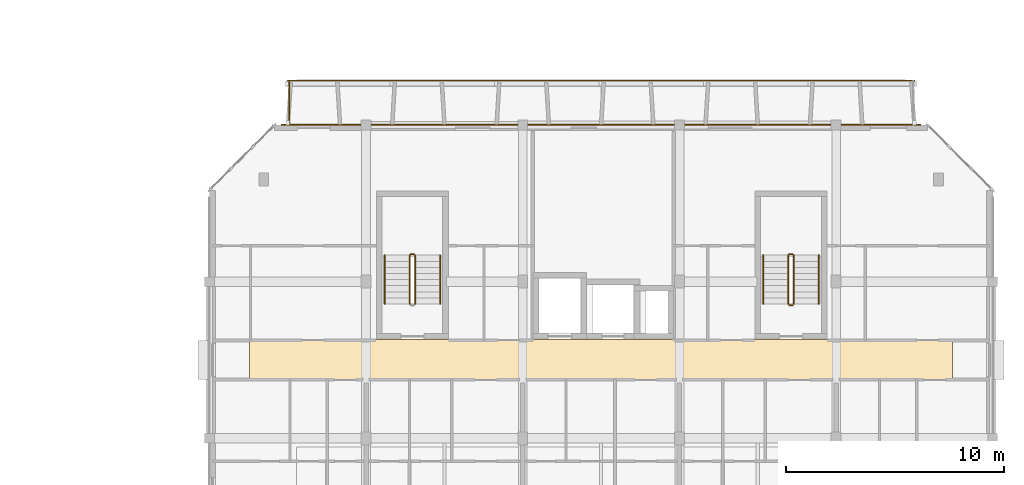
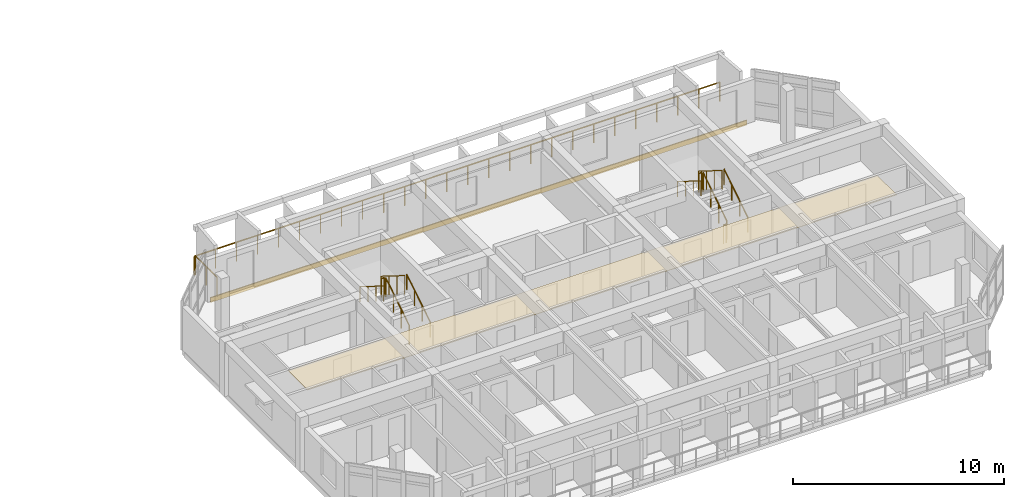
# One storey, part 28 of 31: 13 railings, 2 coverings.
"""IFC4 building model written with IfcOpenShell, lengths in metres."""

from ifc_helpers import new_model, si_unit, direction, frame, origin, origin_2d, place, context, subcontext, project, spatial, polyline, rectangle, circle, outline, extrude, material, layer, layer_set, type_object, element, save


model = new_model("IFC4")

# Units and contexts
model_context = context("Model", 3, precision=1e-05, world=origin(), true_north=direction((0.0, 1.0)))
body_context = subcontext(model_context, "Body", "Model", "MODEL_VIEW")
ifc_project = project(units=[si_unit("LENGTHUNIT", "METRE"), si_unit("AREAUNIT", "SQUARE_METRE"), si_unit("VOLUMEUNIT", "CUBIC_METRE"), si_unit("PLANEANGLEUNIT", "RADIAN"), si_unit("MASSUNIT", "GRAM", prefix="KILO")], contexts=[model_context])

# Site, building, storey
site_placement = place(None, origin())
site = spatial("IfcSite", under=ifc_project, at=site_placement, CompositionType="ELEMENT")
building_placement = place(site_placement, origin())
building = spatial("IfcBuilding", under=site, at=building_placement, Name="Ochrevale Crest", CompositionType="ELEMENT")
storey_placement = place(building_placement, frame((0.0, 0.0, 37.050048828125)))
storey = spatial("IfcBuildingStorey", under=building, at=storey_placement, Name="L11", CompositionType="ELEMENT", Elevation=37.050048828125)

# Coverings
ifc_material_1 = material(Name="Gypsum plasterboard", Category="gypsum")
ifc_layer_1 = layer(ifc_material_1, 0.02490234375)
ifc_layer_set_1 = layer_set([ifc_layer_1], Name="Gypsum plasterboard")
covering_type_1 = type_object("IfcCoveringType", Name="COV-CEIL-GYP", PredefinedType="CEILING", material=ifc_layer_set_1)
covering_1_placement = place(storey_placement, frame((0.0, 0.0, 2.280029296875)))
element("IfcCovering", 1, at=covering_1_placement, inside=storey, type_object=covering_type_1, Name="Block C L11 acoustic corridor ceiling", PredefinedType="CEILING", context=body_context, shape_type="SweptSolid", body=[
    extrude(outline(polyline([(131.449951171875, 24.260009765625), (163.75, 24.260009765625), (163.75, 26.139892578125), (131.449951171875, 26.139892578125), (131.449951171875, 24.260009765625)])), origin(), (0.0, 0.0, 1.0), 0.02490234375),
])
ifc_material_2 = material(Name="Glazed terracotta rainscreen tile", Category="masonry")
ifc_layer_2 = layer(ifc_material_2, 0.048095703125)
ifc_layer_set_2 = layer_set([ifc_layer_2], Name="Glazed terracotta rainscreen tile")
covering_type_2 = type_object("IfcCoveringType", Name="COV-CLAD-TER", PredefinedType="CLADDING", material=ifc_layer_set_2)
covering_2_placement = place(storey_placement, frame((147.60009765625, 36.012451171875, -0.26025390625), z_axis=(0.0, 0.0, 1.0), x_axis=(-1.0, 0.0, 0.0)))
element("IfcCovering", 2, at=covering_2_placement, inside=storey, type_object=covering_type_2, Name="Block C L11 terracotta slab-edge spandrel cladding", PredefinedType="CLADDING", context=body_context, shape_type="SweptSolid", body=[
    extrude(rectangle(XDim=29.39990234375, YDim=0.06005859375, at=origin_2d()), origin(), (0.0, 0.0, 1.0), 0.280029296875),
])

# Railings
ifc_material_3 = material(Name="Galvanised steel", Category="steel")
railing_type_1 = type_object("IfcRailingType", Name="RL-BAL-1100", PredefinedType="BALUSTRADE", material=ifc_material_3)
railing_1_placement = place(storey_placement, frame((133.199951171875, 38.0400390625, 0.0)))
element("IfcRailing", 3, at=railing_1_placement, inside=storey, type_object=railing_type_1, Name="Block C L11 N balcony front balustrade", PredefinedType="BALUSTRADE", context=body_context, shape_type="SweptSolid", body=[
    extrude(circle(Radius=0.02392578125, at=origin_2d()), frame((0.0, 0.0, 1.0859375), z_axis=(1.0, 0.0, 0.0), x_axis=(0.0, 1.0, 0.0)), (0.0, 0.0, 1.0), 28.800048828125),
    extrude(circle(Radius=0.02099609375, at=origin_2d()), origin(), (0.0, 0.0, 1.0), 1.06201171875),
    extrude(circle(Radius=0.02099609375, at=origin_2d()), frame((1.152099609375, 0.0, 0.0)), (0.0, 0.0, 1.0), 1.06201171875),
    extrude(circle(Radius=0.02099609375, at=origin_2d()), frame((2.303955078125, 0.0, 0.0)), (0.0, 0.0, 1.0), 1.06201171875),
    extrude(circle(Radius=0.02099609375, at=origin_2d()), frame((3.4560546875, 0.0, 0.0)), (0.0, 0.0, 1.0), 1.06201171875),
    extrude(circle(Radius=0.02099609375, at=origin_2d()), frame((4.60791015625, 0.0, 0.0)), (0.0, 0.0, 1.0), 1.06201171875),
    extrude(circle(Radius=0.02099609375, at=origin_2d()), frame((5.760009765625, 0.0, 0.0)), (0.0, 0.0, 1.0), 1.06201171875),
    extrude(circle(Radius=0.02099609375, at=origin_2d()), frame((6.912109375, 0.0, 0.0)), (0.0, 0.0, 1.0), 1.06201171875),
    extrude(circle(Radius=0.02099609375, at=origin_2d()), frame((8.06396484375, 0.0, 0.0)), (0.0, 0.0, 1.0), 1.06201171875),
    extrude(circle(Radius=0.02099609375, at=origin_2d()), frame((9.216064453125, 0.0, 0.0)), (0.0, 0.0, 1.0), 1.06201171875),
    extrude(circle(Radius=0.02099609375, at=origin_2d()), frame((10.367919921875, 0.0, 0.0)), (0.0, 0.0, 1.0), 1.06201171875),
    extrude(circle(Radius=0.02099609375, at=origin_2d()), frame((11.52001953125, 0.0, 0.0)), (0.0, 0.0, 1.0), 1.06201171875),
    extrude(circle(Radius=0.02099609375, at=origin_2d()), frame((12.672119140625, 0.0, 0.0)), (0.0, 0.0, 1.0), 1.06201171875),
    extrude(circle(Radius=0.02099609375, at=origin_2d()), frame((13.823974609375, 0.0, 0.0)), (0.0, 0.0, 1.0), 1.06201171875),
    extrude(circle(Radius=0.02099609375, at=origin_2d()), frame((14.97607421875, 0.0, 0.0)), (0.0, 0.0, 1.0), 1.06201171875),
    extrude(circle(Radius=0.02099609375, at=origin_2d()), frame((16.1279296875, 0.0, 0.0)), (0.0, 0.0, 1.0), 1.06201171875),
    extrude(circle(Radius=0.02099609375, at=origin_2d()), frame((17.280029296875, 0.0, 0.0)), (0.0, 0.0, 1.0), 1.06201171875),
    extrude(circle(Radius=0.02099609375, at=origin_2d()), frame((18.43212890625, 0.0, 0.0)), (0.0, 0.0, 1.0), 1.06201171875),
    extrude(circle(Radius=0.02099609375, at=origin_2d()), frame((19.583984375, 0.0, 0.0)), (0.0, 0.0, 1.0), 1.06201171875),
    extrude(circle(Radius=0.02099609375, at=origin_2d()), frame((20.736083984375, 0.0, 0.0)), (0.0, 0.0, 1.0), 1.06201171875),
    extrude(circle(Radius=0.02099609375, at=origin_2d()), frame((21.887939453125, 0.0, 0.0)), (0.0, 0.0, 1.0), 1.06201171875),
    extrude(circle(Radius=0.02099609375, at=origin_2d()), frame((23.0400390625, 0.0, 0.0)), (0.0, 0.0, 1.0), 1.06201171875),
    extrude(circle(Radius=0.02099609375, at=origin_2d()), frame((24.192138671875, 0.0, 0.0)), (0.0, 0.0, 1.0), 1.06201171875),
    extrude(circle(Radius=0.02099609375, at=origin_2d()), frame((25.343994140625, 0.0, 0.0)), (0.0, 0.0, 1.0), 1.06201171875),
    extrude(circle(Radius=0.02099609375, at=origin_2d()), frame((26.49609375, 0.0, 0.0)), (0.0, 0.0, 1.0), 1.06201171875),
    extrude(circle(Radius=0.02099609375, at=origin_2d()), frame((27.64794921875, 0.0, 0.0)), (0.0, 0.0, 1.0), 1.06201171875),
    extrude(circle(Radius=0.02099609375, at=origin_2d()), frame((28.800048828125, 0.0, 0.0)), (0.0, 0.0, 1.0), 1.06201171875),
])
railing_2_placement = place(storey_placement, frame((133.260009765625, 36.0, 0.0)))
element("IfcRailing", 4, at=railing_2_placement, inside=storey, type_object=railing_type_1, Name="Block C L11 N-W balcony side guard", PredefinedType="BALUSTRADE", context=body_context, shape_type="SweptSolid", body=[
    extrude(circle(Radius=0.02392578125, at=origin_2d()), frame((0.0, 0.0, 1.0859375), z_axis=(0.0, 1.0, 0.0), x_axis=(-1.0, 0.0, 0.0)), (0.0, 0.0, 1.0), 2.0400390625),
    extrude(circle(Radius=0.02099609375, at=origin_2d()), origin(), (0.0, 0.0, 1.0), 1.06201171875),
    extrude(circle(Radius=0.02099609375, at=origin_2d()), frame((0.0, 1.02001953125, 0.0)), (0.0, 0.0, 1.0), 1.06201171875),
    extrude(circle(Radius=0.02099609375, at=origin_2d()), frame((0.0, 2.0400390625, 0.0)), (0.0, 0.0, 1.0), 1.06201171875),
])
railing_type_2 = type_object("IfcRailingType", Name="RL-ST-GUARD", PredefinedType="BALUSTRADE", material=ifc_material_3)
railing_3_placement = place(storey_placement, frame((139.050048828125, 27.77490234375, 0.175048828125)))
element("IfcRailing", 5, at=railing_3_placement, inside=storey, type_object=railing_type_2, Name="L11 ST-C1 stair guard 1", PredefinedType="BALUSTRADE", context=body_context, shape_type="SweptSolid", body=[
    extrude(circle(Radius=0.02392578125, at=origin_2d()), frame((0.0, 0.0, 1.076171875), z_axis=(0.0, 0.848013881152, 0.529974015752), x_axis=(-1.0, 0.0, 0.0)), (0.0, 0.0, 1.0), 2.641357421875),
    extrude(circle(Radius=0.02099609375, at=origin_2d()), origin(), (0.0, 0.0, 1.0), 1.052001953125),
    extrude(circle(Radius=0.02099609375, at=origin_2d()), frame((0.0, 0.74658203125, 0.466552734375)), (0.0, 0.0, 1.0), 1.052001953125),
    extrude(circle(Radius=0.02099609375, at=origin_2d()), frame((0.0, 1.493408203125, 0.933349609375)), (0.0, 0.0, 1.0), 1.052001953125),
    extrude(circle(Radius=0.02099609375, at=origin_2d()), frame((0.0, 2.239990234375, 1.39990234375)), (0.0, 0.0, 1.0), 1.052001953125),
])
railing_4_placement = place(storey_placement, frame((139.0, 30.06494140625, 1.574951171875)))
element("IfcRailing", 6, at=railing_4_placement, inside=storey, type_object=railing_type_2, Name="L11 ST-C1 stair guard 2", PredefinedType="BALUSTRADE", context=body_context, shape_type="SweptSolid", body=[
    extrude(circle(Radius=0.02392578125, at=origin_2d()), frame((0.0, 0.0, 1.076171875), z_axis=(-1.0, 0.0, 0.0), x_axis=(0.0, -1.0, 0.0)), (0.0, 0.0, 1.0), 0.14990234375),
    extrude(circle(Radius=0.02099609375, at=origin_2d()), origin(), (0.0, 0.0, 1.0), 1.052001953125),
    extrude(circle(Radius=0.02099609375, at=origin_2d()), frame((-0.14990234375, 0.0, 0.0)), (0.0, 0.0, 1.0), 1.052001953125),
])
railing_5_placement = place(storey_placement, frame((138.800048828125, 30.014892578125, 1.75)))
element("IfcRailing", 7, at=railing_5_placement, inside=storey, type_object=railing_type_2, Name="L11 ST-C1 stair guard 3", PredefinedType="BALUSTRADE", context=body_context, shape_type="SweptSolid", body=[
    extrude(circle(Radius=0.02392578125, at=origin_2d()), frame((0.0, 0.0, 1.076171875), z_axis=(0.0, -0.848013881152, 0.529974015752), x_axis=(1.0, 0.0, 0.0)), (0.0, 0.0, 1.0), 2.641357421875),
    extrude(circle(Radius=0.02099609375, at=origin_2d()), origin(), (0.0, 0.0, 1.0), 1.052001953125),
    extrude(circle(Radius=0.02099609375, at=origin_2d()), frame((0.0, -0.74658203125, 0.466552734375)), (0.0, 0.0, 1.0), 1.052001953125),
    extrude(circle(Radius=0.02099609375, at=origin_2d()), frame((0.0, -1.493408203125, 0.933349609375)), (0.0, 0.0, 1.0), 1.052001953125),
    extrude(circle(Radius=0.02099609375, at=origin_2d()), frame((0.0, -2.239990234375, 1.39990234375)), (0.0, 0.0, 1.0), 1.052001953125),
])
railing_6_placement = place(storey_placement, frame((156.449951171875, 27.77490234375, 0.175048828125)))
element("IfcRailing", 8, at=railing_6_placement, inside=storey, type_object=railing_type_2, Name="L11 ST-C2 stair guard 1", PredefinedType="BALUSTRADE", context=body_context, shape_type="SweptSolid", body=[
    extrude(circle(Radius=0.02392578125, at=origin_2d()), frame((0.0, 0.0, 1.076171875), z_axis=(0.0, 0.848013881152, 0.529974015752), x_axis=(-1.0, 0.0, 0.0)), (0.0, 0.0, 1.0), 2.641357421875),
    extrude(circle(Radius=0.02099609375, at=origin_2d()), origin(), (0.0, 0.0, 1.0), 1.052001953125),
    extrude(circle(Radius=0.02099609375, at=origin_2d()), frame((0.0, 0.74658203125, 0.466552734375)), (0.0, 0.0, 1.0), 1.052001953125),
    extrude(circle(Radius=0.02099609375, at=origin_2d()), frame((0.0, 1.493408203125, 0.933349609375)), (0.0, 0.0, 1.0), 1.052001953125),
    extrude(circle(Radius=0.02099609375, at=origin_2d()), frame((0.0, 2.239990234375, 1.39990234375)), (0.0, 0.0, 1.0), 1.052001953125),
])
railing_7_placement = place(storey_placement, frame((156.39990234375, 30.06494140625, 1.574951171875)))
element("IfcRailing", 9, at=railing_7_placement, inside=storey, type_object=railing_type_2, Name="L11 ST-C2 stair guard 2", PredefinedType="BALUSTRADE", context=body_context, shape_type="SweptSolid", body=[
    extrude(circle(Radius=0.02392578125, at=origin_2d()), frame((0.0, 0.0, 1.076171875), z_axis=(-1.0, 0.0, 0.0), x_axis=(0.0, -1.0, 0.0)), (0.0, 0.0, 1.0), 0.14990234375),
    extrude(circle(Radius=0.02099609375, at=origin_2d()), origin(), (0.0, 0.0, 1.0), 1.052001953125),
    extrude(circle(Radius=0.02099609375, at=origin_2d()), frame((-0.14990234375, 0.0, 0.0)), (0.0, 0.0, 1.0), 1.052001953125),
])
railing_8_placement = place(storey_placement, frame((156.199951171875, 30.014892578125, 1.75)))
element("IfcRailing", 10, at=railing_8_placement, inside=storey, type_object=railing_type_2, Name="L11 ST-C2 stair guard 3", PredefinedType="BALUSTRADE", context=body_context, shape_type="SweptSolid", body=[
    extrude(circle(Radius=0.02392578125, at=origin_2d()), frame((0.0, 0.0, 1.076171875), z_axis=(0.0, -0.848013881152, 0.529974015752), x_axis=(1.0, 0.0, 0.0)), (0.0, 0.0, 1.0), 2.641357421875),
    extrude(circle(Radius=0.02099609375, at=origin_2d()), origin(), (0.0, 0.0, 1.0), 1.052001953125),
    extrude(circle(Radius=0.02099609375, at=origin_2d()), frame((0.0, -0.74658203125, 0.466552734375)), (0.0, 0.0, 1.0), 1.052001953125),
    extrude(circle(Radius=0.02099609375, at=origin_2d()), frame((0.0, -1.493408203125, 0.933349609375)), (0.0, 0.0, 1.0), 1.052001953125),
    extrude(circle(Radius=0.02099609375, at=origin_2d()), frame((0.0, -2.239990234375, 1.39990234375)), (0.0, 0.0, 1.0), 1.052001953125),
])
railing_9_placement = place(storey_placement, frame((156.39990234375, 27.72509765625, 0.0)))
element("IfcRailing", 11, at=railing_9_placement, inside=storey, type_object=railing_type_2, Name="L11 ST-C2 stair guard 4", PredefinedType="BALUSTRADE", context=body_context, shape_type="SweptSolid", body=[
    extrude(circle(Radius=0.02392578125, at=origin_2d()), frame((0.0, 0.0, 1.076171875), z_axis=(-1.0, 0.0, 0.0), x_axis=(0.0, -1.0, 0.0)), (0.0, 0.0, 1.0), 0.14990234375),
    extrude(circle(Radius=0.02099609375, at=origin_2d()), origin(), (0.0, 0.0, 1.0), 1.052001953125),
    extrude(circle(Radius=0.02099609375, at=origin_2d()), frame((-0.14990234375, 0.0, 0.0)), (0.0, 0.0, 1.0), 1.052001953125),
])
ifc_material_4 = material(Name="Stainless steel", Category="steel")
railing_type_3 = type_object("IfcRailingType", Name="RL-ST-HRAIL", PredefinedType="HANDRAIL", material=ifc_material_4)
railing_10_placement = place(storey_placement, frame((140.199951171875, 27.77490234375, 0.175048828125)))
element("IfcRailing", 12, at=railing_10_placement, inside=storey, type_object=railing_type_3, Name="L11 ST-C1 stair handrail 1", PredefinedType="HANDRAIL", context=body_context, shape_type="SweptSolid", body=[
    extrude(circle(Radius=0.02392578125, at=origin_2d()), frame((0.0, 0.0, 0.8759765625), z_axis=(0.0, 0.848013881152, 0.529974015752), x_axis=(-1.0, 0.0, 0.0)), (0.0, 0.0, 1.0), 2.641357421875),
    extrude(circle(Radius=0.02099609375, at=origin_2d()), origin(), (0.0, 0.0, 1.0), 0.851806640625),
    extrude(circle(Radius=0.02099609375, at=origin_2d()), frame((0.0, 0.74658203125, 0.466552734375)), (0.0, 0.0, 1.0), 0.851806640625),
    extrude(circle(Radius=0.02099609375, at=origin_2d()), frame((0.0, 1.493408203125, 0.933349609375)), (0.0, 0.0, 1.0), 0.851806640625),
    extrude(circle(Radius=0.02099609375, at=origin_2d()), frame((0.0, 2.239990234375, 1.39990234375)), (0.0, 0.0, 1.0), 0.851806640625),
])
railing_11_placement = place(storey_placement, frame((137.64990234375, 30.014892578125, 1.75)))
element("IfcRailing", 13, at=railing_11_placement, inside=storey, type_object=railing_type_3, Name="L11 ST-C1 stair handrail 2", PredefinedType="HANDRAIL", context=body_context, shape_type="SweptSolid", body=[
    extrude(circle(Radius=0.02392578125, at=origin_2d()), frame((0.0, 0.0, 0.8759765625), z_axis=(0.0, -0.848013881152, 0.529974015752), x_axis=(1.0, 0.0, 0.0)), (0.0, 0.0, 1.0), 2.641357421875),
    extrude(circle(Radius=0.02099609375, at=origin_2d()), origin(), (0.0, 0.0, 1.0), 0.851806640625),
    extrude(circle(Radius=0.02099609375, at=origin_2d()), frame((0.0, -0.74658203125, 0.466552734375)), (0.0, 0.0, 1.0), 0.851806640625),
    extrude(circle(Radius=0.02099609375, at=origin_2d()), frame((0.0, -1.493408203125, 0.933349609375)), (0.0, 0.0, 1.0), 0.851806640625),
    extrude(circle(Radius=0.02099609375, at=origin_2d()), frame((0.0, -2.239990234375, 1.39990234375)), (0.0, 0.0, 1.0), 0.851806640625),
])
railing_12_placement = place(storey_placement, frame((157.60009765625, 27.77490234375, 0.175048828125)))
element("IfcRailing", 14, at=railing_12_placement, inside=storey, type_object=railing_type_3, Name="L11 ST-C2 stair handrail 1", PredefinedType="HANDRAIL", context=body_context, shape_type="SweptSolid", body=[
    extrude(circle(Radius=0.02392578125, at=origin_2d()), frame((0.0, 0.0, 0.8759765625), z_axis=(0.0, 0.848013881152, 0.529974015752), x_axis=(-1.0, 0.0, 0.0)), (0.0, 0.0, 1.0), 2.641357421875),
    extrude(circle(Radius=0.02099609375, at=origin_2d()), origin(), (0.0, 0.0, 1.0), 0.851806640625),
    extrude(circle(Radius=0.02099609375, at=origin_2d()), frame((0.0, 0.74658203125, 0.466552734375)), (0.0, 0.0, 1.0), 0.851806640625),
    extrude(circle(Radius=0.02099609375, at=origin_2d()), frame((0.0, 1.493408203125, 0.933349609375)), (0.0, 0.0, 1.0), 0.851806640625),
    extrude(circle(Radius=0.02099609375, at=origin_2d()), frame((0.0, 2.239990234375, 1.39990234375)), (0.0, 0.0, 1.0), 0.851806640625),
])
railing_13_placement = place(storey_placement, frame((155.050048828125, 30.014892578125, 1.75)))
element("IfcRailing", 15, at=railing_13_placement, inside=storey, type_object=railing_type_3, Name="L11 ST-C2 stair handrail 2", PredefinedType="HANDRAIL", context=body_context, shape_type="SweptSolid", body=[
    extrude(circle(Radius=0.02392578125, at=origin_2d()), frame((0.0, 0.0, 0.8759765625), z_axis=(0.0, -0.848013881152, 0.529974015752), x_axis=(1.0, 0.0, 0.0)), (0.0, 0.0, 1.0), 2.641357421875),
    extrude(circle(Radius=0.02099609375, at=origin_2d()), origin(), (0.0, 0.0, 1.0), 0.851806640625),
    extrude(circle(Radius=0.02099609375, at=origin_2d()), frame((0.0, -0.74658203125, 0.466552734375)), (0.0, 0.0, 1.0), 0.851806640625),
    extrude(circle(Radius=0.02099609375, at=origin_2d()), frame((0.0, -1.493408203125, 0.933349609375)), (0.0, 0.0, 1.0), 0.851806640625),
    extrude(circle(Radius=0.02099609375, at=origin_2d()), frame((0.0, -2.239990234375, 1.39990234375)), (0.0, 0.0, 1.0), 0.851806640625),
])

save(model, "model.ifc")
